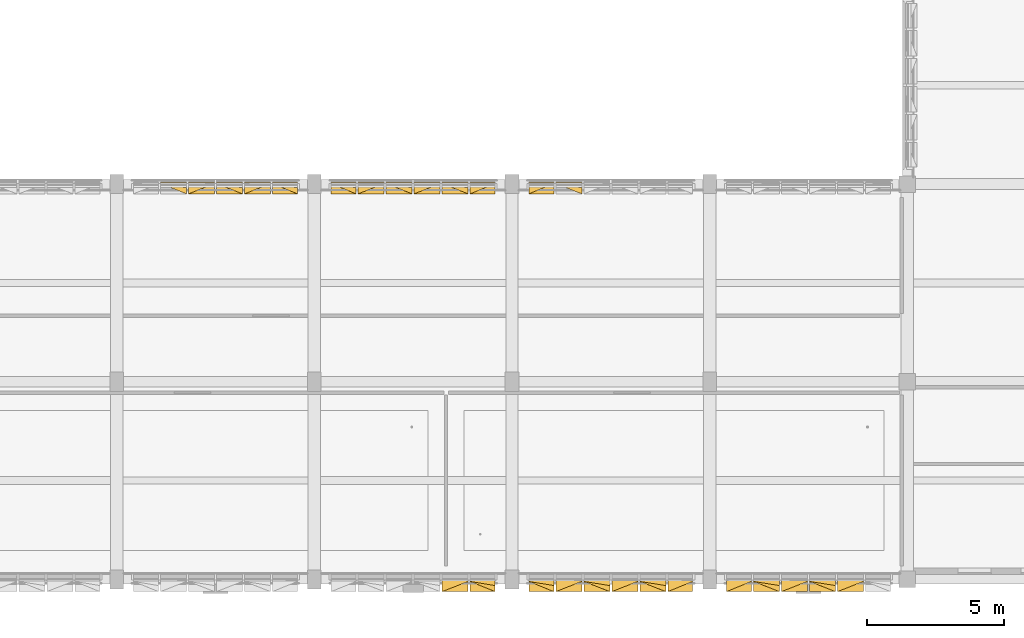
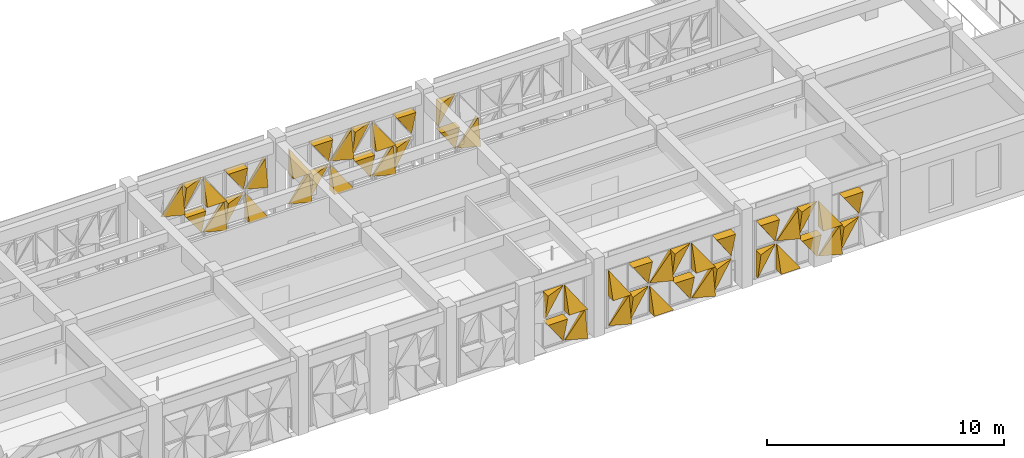
# One storey, part 83 of 88: 50 coverings.
"""IFC4 building model written with IfcOpenShell, lengths in metres."""

from ifc_helpers import new_model, si_unit, direction, frame, origin, place, context, subcontext, project, spatial, polygons, material, layer, layer_set, type_object, element, save


model = new_model("IFC4")

# Units and contexts
model_context = context("Model", 3, precision=1e-05, world=origin(), true_north=direction((0.0, 1.0)))
body_context = subcontext(model_context, "Body", "Model", "MODEL_VIEW")
ifc_project = project(units=[si_unit("LENGTHUNIT", "METRE"), si_unit("AREAUNIT", "SQUARE_METRE"), si_unit("VOLUMEUNIT", "CUBIC_METRE"), si_unit("PLANEANGLEUNIT", "RADIAN"), si_unit("MASSUNIT", "GRAM", prefix="KILO")], contexts=[model_context])

# Site, building, storey
site_placement = place(None, origin())
site = spatial("IfcSite", under=ifc_project, at=site_placement, CompositionType="ELEMENT")
building_placement = place(site_placement, origin())
building = spatial("IfcBuilding", under=site, at=building_placement, Name="Alvorim Cloister Faculty of Sciences", CompositionType="ELEMENT")
storey_placement = place(building_placement, frame((0.0, 0.0, 4.5)))
storey = spatial("IfcBuildingStorey", under=building, at=storey_placement, Name="L01", CompositionType="ELEMENT", Elevation=4.5)

# Coverings
ifc_material = material(Name="Perforated Bronze Alloy Sheet", Category="metal")
ifc_layer = layer(ifc_material, 0.0380859375)
ifc_layer_set = layer_set([ifc_layer], Name="Perforated Bronze Alloy Sheet")
covering_type = type_object("IfcCoveringType", Name="COV-TRI-BRZ", PredefinedType="CLADDING", material=ifc_layer_set)
covering_1_placement = place(storey_placement, frame((37.597412109375, 14.445068359375, 1.6650390625), z_axis=(0.0, 0.0, 1.0), x_axis=(1.0, 0.0, 0.0)))
element("IfcCovering", 1, at=covering_1_placement, inside=storey, type_object=covering_type, Name="Diagonal Solid Metal Triangle TRI-BR", PredefinedType="CLADDING", context=body_context, shape_type="Tessellation", body=[
    polygons([(0.002, 0.0260009765625, 0.0), (0.945068359375, 0.0260009765625, 0.0), (0.945068359375, 0.0260009765625, 1.342970703125), (0.002, -0.03, 0.0), (0.945068359375, -0.4, 0.0), (0.945068359375, -0.18000000000000002, 1.342970703125)], [[[1, 3, 2]], [[4, 5, 6]], [[1, 2, 5, 4]], [[2, 3, 6, 5]], [[3, 1, 4, 6]]], closed=True),
])
covering_2_placement = place(storey_placement, frame((38.617431640625, 14.445068359375, 0.159912109375), z_axis=(0.0, 0.0, 1.0), x_axis=(1.0, 0.0, 0.0)))
element("IfcCovering", 2, at=covering_2_placement, inside=storey, type_object=covering_type, Name="Diagonal Solid Metal Triangle TRI-TR", PredefinedType="CLADDING", context=body_context, shape_type="Tessellation", body=[
    polygons([(0.945068359375, 0.0260009765625, 0.002), (0.945068359375, 0.0260009765625, 1.344970703125), (0.002, 0.0260009765625, 1.344970703125), (0.945068359375, -0.03, 0.002), (0.945068359375, -0.4, 1.344970703125), (0.002, -0.4, 1.344970703125)], [[[1, 3, 2]], [[4, 5, 6]], [[1, 2, 5, 4]], [[2, 3, 6, 5]], [[3, 1, 4, 6]]], closed=True),
])
covering_3_placement = place(storey_placement, frame((38.617431640625, 14.445068359375, 1.6650390625), z_axis=(0.0, 0.0, 1.0), x_axis=(1.0, 0.0, 0.0)))
element("IfcCovering", 3, at=covering_3_placement, inside=storey, type_object=covering_type, Name="Diagonal Solid Metal Triangle TRI-TL", PredefinedType="CLADDING", context=body_context, shape_type="Tessellation", body=[
    polygons([(0.943068359375, 0.0260009765625, 1.344970703125), (0.0, 0.0260009765625, 1.344970703125), (0.0, 0.0260009765625, 0.002), (0.943068359375, -0.03, 1.344970703125), (0.0, -0.4, 1.344970703125), (0.0, -0.13999999999999999, 0.002)], [[[1, 3, 2]], [[4, 5, 6]], [[1, 2, 5, 4]], [[2, 3, 6, 5]], [[3, 1, 4, 6]]], closed=True),
])
covering_4_placement = place(storey_placement, frame((39.637451171875, 14.445068359375, 0.159912109375), z_axis=(0.0, 0.0, 1.0), x_axis=(1.0, 0.0, 0.0)))
element("IfcCovering", 4, at=covering_4_placement, inside=storey, type_object=covering_type, Name="Diagonal Solid Metal Triangle TRI-BR", PredefinedType="CLADDING", context=body_context, shape_type="Tessellation", body=[
    polygons([(0.002, 0.0260009765625, 0.0), (0.945068359375, 0.0260009765625, 0.0), (0.945068359375, 0.0260009765625, 1.342970703125), (0.002, -0.03, 0.0), (0.945068359375, -0.4, 0.0), (0.945068359375, -0.18000000000000002, 1.342970703125)], [[[1, 3, 2]], [[4, 5, 6]], [[1, 2, 5, 4]], [[2, 3, 6, 5]], [[3, 1, 4, 6]]], closed=True),
])
covering_5_placement = place(storey_placement, frame((39.637451171875, 14.445068359375, 1.6650390625), z_axis=(0.0, 0.0, 1.0), x_axis=(1.0, 0.0, 0.0)))
element("IfcCovering", 5, at=covering_5_placement, inside=storey, type_object=covering_type, Name="Diagonal Solid Metal Triangle TRI-BL", PredefinedType="CLADDING", context=body_context, shape_type="Tessellation", body=[
    polygons([(0.0, 0.0260009765625, 0.0), (0.943068359375, 0.0260009765625, 0.0), (0.0, 0.0260009765625, 1.342970703125), (0.0, -0.4, 0.0), (0.943068359375, -0.4, 0.0), (0.0, -0.03, 1.342970703125)], [[[1, 3, 2]], [[4, 5, 6]], [[1, 2, 5, 4]], [[2, 3, 6, 5]], [[3, 1, 4, 6]]], closed=True),
])
covering_6_placement = place(storey_placement, frame((40.657470703125, 14.445068359375, 0.159912109375), z_axis=(0.0, 0.0, 1.0), x_axis=(1.0, 0.0, 0.0)))
element("IfcCovering", 6, at=covering_6_placement, inside=storey, type_object=covering_type, Name="Diagonal Solid Metal Triangle TRI-TL", PredefinedType="CLADDING", context=body_context, shape_type="Tessellation", body=[
    polygons([(0.943068359375, 0.0260009765625, 1.344970703125), (0.0, 0.0260009765625, 1.344970703125), (0.0, 0.0260009765625, 0.002), (0.943068359375, -0.03, 1.344970703125), (0.0, -0.4, 1.344970703125), (0.0, -0.13999999999999999, 0.002)], [[[1, 3, 2]], [[4, 5, 6]], [[1, 2, 5, 4]], [[2, 3, 6, 5]], [[3, 1, 4, 6]]], closed=True),
])
covering_7_placement = place(storey_placement, frame((40.657470703125, 14.445068359375, 1.6650390625), z_axis=(0.0, 0.0, 1.0), x_axis=(1.0, 0.0, 0.0)))
element("IfcCovering", 7, at=covering_7_placement, inside=storey, type_object=covering_type, Name="Diagonal Solid Metal Triangle TRI-TR", PredefinedType="CLADDING", context=body_context, shape_type="Tessellation", body=[
    polygons([(0.945068359375, 0.0260009765625, 0.002), (0.945068359375, 0.0260009765625, 1.344970703125), (0.002, 0.0260009765625, 1.344970703125), (0.945068359375, -0.03, 0.002), (0.945068359375, -0.4, 1.344970703125), (0.002, -0.4, 1.344970703125)], [[[1, 3, 2]], [[4, 5, 6]], [[1, 2, 5, 4]], [[2, 3, 6, 5]], [[3, 1, 4, 6]]], closed=True),
])
covering_8_placement = place(storey_placement, frame((41.677490234375, 14.445068359375, 0.159912109375), z_axis=(0.0, 0.0, 1.0), x_axis=(1.0, 0.0, 0.0)))
element("IfcCovering", 8, at=covering_8_placement, inside=storey, type_object=covering_type, Name="Diagonal Solid Metal Triangle TRI-BL", PredefinedType="CLADDING", context=body_context, shape_type="Tessellation", body=[
    polygons([(0.0, 0.0260009765625, 0.0), (0.905470703125, 0.0260009765625, 0.0), (0.0, 0.0260009765625, 1.342970703125), (0.0, -0.4, 0.0), (0.905470703125, -0.4, 0.0), (0.0, -0.03, 1.342970703125)], [[[1, 3, 2]], [[4, 5, 6]], [[1, 2, 5, 4]], [[2, 3, 6, 5]], [[3, 1, 4, 6]]], closed=True),
])
for number, where, z_axis, x_axis, name in (
    (9, (41.677490234375, 14.445068359375, 1.6650390625), (0.0, 0.0, 1.0), (1.0, 0.0, 0.0), "Diagonal Solid Metal Triangle TRI-BR"),
    (10, (43.81494140625, 14.445068359375, 0.159912109375), (0.0, 0.0, 1.0), (1.0, 0.0, 0.0), "Diagonal Solid Metal Triangle TRI-BR"),
):
    element("IfcCovering", number, at=place(storey_placement, frame(where, z_axis=z_axis, x_axis=x_axis)), inside=storey, type_object=covering_type, Name=name, PredefinedType="CLADDING", context=body_context, shape_type="Tessellation", body=[
        polygons([(0.002, 0.0260009765625, 0.0), (0.907470703125, 0.0260009765625, 0.0), (0.907470703125, 0.0260009765625, 1.342970703125), (0.002, -0.03, 0.0), (0.907470703125, -0.4, 0.0), (0.907470703125, -0.18000000000000002, 1.342970703125)], [[[1, 3, 2]], [[4, 5, 6]], [[1, 2, 5, 4]], [[2, 3, 6, 5]], [[3, 1, 4, 6]]], closed=True),
    ])
covering_9_placement = place(storey_placement, frame((43.81494140625, 14.445068359375, 1.6650390625), z_axis=(0.0, 0.0, 1.0), x_axis=(1.0, 0.0, 0.0)))
element("IfcCovering", 11, at=covering_9_placement, inside=storey, type_object=covering_type, Name="Diagonal Solid Metal Triangle TRI-BL", PredefinedType="CLADDING", context=body_context, shape_type="Tessellation", body=[
    polygons([(0.0, 0.0260009765625, 0.0), (0.905470703125, 0.0260009765625, 0.0), (0.0, 0.0260009765625, 1.342970703125), (0.0, -0.4, 0.0), (0.905470703125, -0.4, 0.0), (0.0, -0.03, 1.342970703125)], [[[1, 3, 2]], [[4, 5, 6]], [[1, 2, 5, 4]], [[2, 3, 6, 5]], [[3, 1, 4, 6]]], closed=True),
])
covering_10_placement = place(storey_placement, frame((44.797607421875, 14.445068359375, 0.159912109375), z_axis=(0.0, 0.0, 1.0), x_axis=(1.0, 0.0, 0.0)))
element("IfcCovering", 12, at=covering_10_placement, inside=storey, type_object=covering_type, Name="Diagonal Solid Metal Triangle TRI-TL", PredefinedType="CLADDING", context=body_context, shape_type="Tessellation", body=[
    polygons([(0.943068359375, 0.0260009765625, 1.344970703125), (0.0, 0.0260009765625, 1.344970703125), (0.0, 0.0260009765625, 0.002), (0.943068359375, -0.03, 1.344970703125), (0.0, -0.4, 1.344970703125), (0.0, -0.13999999999999999, 0.002)], [[[1, 3, 2]], [[4, 5, 6]], [[1, 2, 5, 4]], [[2, 3, 6, 5]], [[3, 1, 4, 6]]], closed=True),
])
covering_11_placement = place(storey_placement, frame((44.797607421875, 14.445068359375, 1.6650390625), z_axis=(0.0, 0.0, 1.0), x_axis=(1.0, 0.0, 0.0)))
element("IfcCovering", 13, at=covering_11_placement, inside=storey, type_object=covering_type, Name="Diagonal Solid Metal Triangle TRI-TR", PredefinedType="CLADDING", context=body_context, shape_type="Tessellation", body=[
    polygons([(0.945068359375, 0.0260009765625, 0.002), (0.945068359375, 0.0260009765625, 1.344970703125), (0.002, 0.0260009765625, 1.344970703125), (0.945068359375, -0.03, 0.002), (0.945068359375, -0.4, 1.344970703125), (0.002, -0.4, 1.344970703125)], [[[1, 3, 2]], [[4, 5, 6]], [[1, 2, 5, 4]], [[2, 3, 6, 5]], [[3, 1, 4, 6]]], closed=True),
])
covering_12_placement = place(storey_placement, frame((45.8173828125, 14.445068359375, 0.159912109375), z_axis=(0.0, 0.0, 1.0), x_axis=(1.0, 0.0, 0.0)))
element("IfcCovering", 14, at=covering_12_placement, inside=storey, type_object=covering_type, Name="Diagonal Solid Metal Triangle TRI-BL", PredefinedType="CLADDING", context=body_context, shape_type="Tessellation", body=[
    polygons([(0.0, 0.0260009765625, 0.0), (0.943068359375, 0.0260009765625, 0.0), (0.0, 0.0260009765625, 1.342970703125), (0.0, -0.4, 0.0), (0.943068359375, -0.4, 0.0), (0.0, -0.03, 1.342970703125)], [[[1, 3, 2]], [[4, 5, 6]], [[1, 2, 5, 4]], [[2, 3, 6, 5]], [[3, 1, 4, 6]]], closed=True),
])
covering_13_placement = place(storey_placement, frame((45.8173828125, 14.445068359375, 1.6650390625), z_axis=(0.0, 0.0, 1.0), x_axis=(1.0, 0.0, 0.0)))
element("IfcCovering", 15, at=covering_13_placement, inside=storey, type_object=covering_type, Name="Diagonal Solid Metal Triangle TRI-BR", PredefinedType="CLADDING", context=body_context, shape_type="Tessellation", body=[
    polygons([(0.002, 0.0260009765625, 0.0), (0.945068359375, 0.0260009765625, 0.0), (0.945068359375, 0.0260009765625, 1.342970703125), (0.002, -0.03, 0.0), (0.945068359375, -0.4, 0.0), (0.945068359375, -0.18000000000000002, 1.342970703125)], [[[1, 3, 2]], [[4, 5, 6]], [[1, 2, 5, 4]], [[2, 3, 6, 5]], [[3, 1, 4, 6]]], closed=True),
])
covering_14_placement = place(storey_placement, frame((46.83740234375, 14.445068359375, 0.159912109375), z_axis=(0.0, 0.0, 1.0), x_axis=(1.0, 0.0, 0.0)))
element("IfcCovering", 16, at=covering_14_placement, inside=storey, type_object=covering_type, Name="Diagonal Solid Metal Triangle TRI-TR", PredefinedType="CLADDING", context=body_context, shape_type="Tessellation", body=[
    polygons([(0.945068359375, 0.0260009765625, 0.002), (0.945068359375, 0.0260009765625, 1.344970703125), (0.002, 0.0260009765625, 1.344970703125), (0.945068359375, -0.03, 0.002), (0.945068359375, -0.4, 1.344970703125), (0.002, -0.4, 1.344970703125)], [[[1, 3, 2]], [[4, 5, 6]], [[1, 2, 5, 4]], [[2, 3, 6, 5]], [[3, 1, 4, 6]]], closed=True),
])
covering_15_placement = place(storey_placement, frame((46.83740234375, 14.445068359375, 1.6650390625), z_axis=(0.0, 0.0, 1.0), x_axis=(1.0, 0.0, 0.0)))
element("IfcCovering", 17, at=covering_15_placement, inside=storey, type_object=covering_type, Name="Diagonal Solid Metal Triangle TRI-TL", PredefinedType="CLADDING", context=body_context, shape_type="Tessellation", body=[
    polygons([(0.943068359375, 0.0260009765625, 1.344970703125), (0.0, 0.0260009765625, 1.344970703125), (0.0, 0.0260009765625, 0.002), (0.943068359375, -0.03, 1.344970703125), (0.0, -0.4, 1.344970703125), (0.0, -0.13999999999999999, 0.002)], [[[1, 3, 2]], [[4, 5, 6]], [[1, 2, 5, 4]], [[2, 3, 6, 5]], [[3, 1, 4, 6]]], closed=True),
])
covering_16_placement = place(storey_placement, frame((47.857421875, 14.445068359375, 0.159912109375), z_axis=(0.0, 0.0, 1.0), x_axis=(1.0, 0.0, 0.0)))
element("IfcCovering", 18, at=covering_16_placement, inside=storey, type_object=covering_type, Name="Diagonal Solid Metal Triangle TRI-BR", PredefinedType="CLADDING", context=body_context, shape_type="Tessellation", body=[
    polygons([(0.002, 0.0260009765625, 0.0), (0.945068359375, 0.0260009765625, 0.0), (0.945068359375, 0.0260009765625, 1.342970703125), (0.002, -0.03, 0.0), (0.945068359375, -0.4, 0.0), (0.945068359375, -0.18000000000000002, 1.342970703125)], [[[1, 3, 2]], [[4, 5, 6]], [[1, 2, 5, 4]], [[2, 3, 6, 5]], [[3, 1, 4, 6]]], closed=True),
])
covering_17_placement = place(storey_placement, frame((47.857421875, 14.445068359375, 1.6650390625), z_axis=(0.0, 0.0, 1.0), x_axis=(1.0, 0.0, 0.0)))
element("IfcCovering", 19, at=covering_17_placement, inside=storey, type_object=covering_type, Name="Diagonal Solid Metal Triangle TRI-BL", PredefinedType="CLADDING", context=body_context, shape_type="Tessellation", body=[
    polygons([(0.0, 0.0260009765625, 0.0), (0.943068359375, 0.0260009765625, 0.0), (0.0, 0.0260009765625, 1.342970703125), (0.0, -0.4, 0.0), (0.943068359375, -0.4, 0.0), (0.0, -0.03, 1.342970703125)], [[[1, 3, 2]], [[4, 5, 6]], [[1, 2, 5, 4]], [[2, 3, 6, 5]], [[3, 1, 4, 6]]], closed=True),
])
covering_18_placement = place(storey_placement, frame((48.87744140625, 14.445068359375, 0.159912109375), z_axis=(0.0, 0.0, 1.0), x_axis=(1.0, 0.0, 0.0)))
element("IfcCovering", 20, at=covering_18_placement, inside=storey, type_object=covering_type, Name="Diagonal Solid Metal Triangle TRI-TL", PredefinedType="CLADDING", context=body_context, shape_type="Tessellation", body=[
    polygons([(0.905470703125, 0.0260009765625, 1.344970703125), (0.0, 0.0260009765625, 1.344970703125), (0.0, 0.0260009765625, 0.002), (0.905470703125, -0.03, 1.344970703125), (0.0, -0.4, 1.344970703125), (0.0, -0.13999999999999999, 0.002)], [[[1, 3, 2]], [[4, 5, 6]], [[1, 2, 5, 4]], [[2, 3, 6, 5]], [[3, 1, 4, 6]]], closed=True),
])
for number, where, z_axis, x_axis, name in (
    (21, (48.87744140625, 14.445068359375, 1.6650390625), (0.0, 0.0, 1.0), (1.0, 0.0, 0.0), "Diagonal Solid Metal Triangle TRI-TR"),
    (22, (51.014892578125, 14.445068359375, 0.159912109375), (0.0, 0.0, 1.0), (1.0, 0.0, 0.0), "Diagonal Solid Metal Triangle TRI-TR"),
):
    element("IfcCovering", number, at=place(storey_placement, frame(where, z_axis=z_axis, x_axis=x_axis)), inside=storey, type_object=covering_type, Name=name, PredefinedType="CLADDING", context=body_context, shape_type="Tessellation", body=[
        polygons([(0.907470703125, 0.0260009765625, 0.002), (0.907470703125, 0.0260009765625, 1.344970703125), (0.002, 0.0260009765625, 1.344970703125), (0.907470703125, -0.03, 0.002), (0.907470703125, -0.4, 1.344970703125), (0.002, -0.4, 1.344970703125)], [[[1, 3, 2]], [[4, 5, 6]], [[1, 2, 5, 4]], [[2, 3, 6, 5]], [[3, 1, 4, 6]]], closed=True),
    ])
covering_19_placement = place(storey_placement, frame((51.014892578125, 14.445068359375, 1.6650390625), z_axis=(0.0, 0.0, 1.0), x_axis=(1.0, 0.0, 0.0)))
element("IfcCovering", 23, at=covering_19_placement, inside=storey, type_object=covering_type, Name="Diagonal Solid Metal Triangle TRI-TL", PredefinedType="CLADDING", context=body_context, shape_type="Tessellation", body=[
    polygons([(0.905470703125, 0.0260009765625, 1.344970703125), (0.0, 0.0260009765625, 1.344970703125), (0.0, 0.0260009765625, 0.002), (0.905470703125, -0.03, 1.344970703125), (0.0, -0.4, 1.344970703125), (0.0, -0.13999999999999999, 0.002)], [[[1, 3, 2]], [[4, 5, 6]], [[1, 2, 5, 4]], [[2, 3, 6, 5]], [[3, 1, 4, 6]]], closed=True),
])
covering_20_placement = place(storey_placement, frame((51.99755859375, 14.445068359375, 0.159912109375), z_axis=(0.0, 0.0, 1.0), x_axis=(1.0, 0.0, 0.0)))
element("IfcCovering", 24, at=covering_20_placement, inside=storey, type_object=covering_type, Name="Diagonal Solid Metal Triangle TRI-BR", PredefinedType="CLADDING", context=body_context, shape_type="Tessellation", body=[
    polygons([(0.002, 0.0260009765625, 0.0), (0.945068359375, 0.0260009765625, 0.0), (0.945068359375, 0.0260009765625, 1.342970703125), (0.002, -0.03, 0.0), (0.945068359375, -0.4, 0.0), (0.945068359375, -0.18000000000000002, 1.342970703125)], [[[1, 3, 2]], [[4, 5, 6]], [[1, 2, 5, 4]], [[2, 3, 6, 5]], [[3, 1, 4, 6]]], closed=True),
])
covering_21_placement = place(storey_placement, frame((58.215087890625, -0.044921875, 0.159912109375), z_axis=(0.0, 0.0, 1.0), x_axis=(1.0, 0.0, 0.0)))
element("IfcCovering", 25, at=covering_21_placement, inside=storey, type_object=covering_type, Name="Diagonal Solid Metal Triangle TRI-TL", PredefinedType="CLADDING", context=body_context, shape_type="Tessellation", body=[
    polygons([(0.905470703125, 0.0260009765625, 1.344970703125), (0.0, 0.0260009765625, 1.344970703125), (0.0, 0.0260009765625, 0.002), (0.905470703125, -0.03, 1.344970703125), (0.0, -0.4, 1.344970703125), (0.0, -0.13999999999999999, 0.002)], [[[1, 3, 2]], [[4, 5, 6]], [[1, 2, 5, 4]], [[2, 3, 6, 5]], [[3, 1, 4, 6]]], closed=True),
])
covering_22_placement = place(storey_placement, frame((58.215087890625, -0.044921875, 1.6650390625), z_axis=(0.0, 0.0, 1.0), x_axis=(1.0, 0.0, 0.0)))
element("IfcCovering", 26, at=covering_22_placement, inside=storey, type_object=covering_type, Name="Diagonal Solid Metal Triangle TRI-TR", PredefinedType="CLADDING", context=body_context, shape_type="Tessellation", body=[
    polygons([(0.907470703125, 0.0260009765625, 0.002), (0.907470703125, 0.0260009765625, 1.344970703125), (0.002, 0.0260009765625, 1.344970703125), (0.907470703125, -0.03, 0.002), (0.907470703125, -0.4, 1.344970703125), (0.002, -0.4, 1.344970703125)], [[[1, 3, 2]], [[4, 5, 6]], [[1, 2, 5, 4]], [[2, 3, 6, 5]], [[3, 1, 4, 6]]], closed=True),
])
covering_23_placement = place(storey_placement, frame((59.197509765625, -0.044921875, 0.159912109375), z_axis=(0.0, 0.0, 1.0), x_axis=(1.0, 0.0, 0.0)))
element("IfcCovering", 27, at=covering_23_placement, inside=storey, type_object=covering_type, Name="Diagonal Solid Metal Triangle TRI-BL", PredefinedType="CLADDING", context=body_context, shape_type="Tessellation", body=[
    polygons([(0.0, 0.0260009765625, 0.0), (0.943068359375, 0.0260009765625, 0.0), (0.0, 0.0260009765625, 1.342970703125), (0.0, -0.4, 0.0), (0.943068359375, -0.4, 0.0), (0.0, -0.03, 1.342970703125)], [[[1, 3, 2]], [[4, 5, 6]], [[1, 2, 5, 4]], [[2, 3, 6, 5]], [[3, 1, 4, 6]]], closed=True),
])
covering_24_placement = place(storey_placement, frame((59.197509765625, -0.044921875, 1.6650390625), z_axis=(0.0, 0.0, 1.0), x_axis=(1.0, 0.0, 0.0)))
element("IfcCovering", 28, at=covering_24_placement, inside=storey, type_object=covering_type, Name="Diagonal Solid Metal Triangle TRI-BR", PredefinedType="CLADDING", context=body_context, shape_type="Tessellation", body=[
    polygons([(0.002, 0.0260009765625, 0.0), (0.945068359375, 0.0260009765625, 0.0), (0.945068359375, 0.0260009765625, 1.342970703125), (0.002, -0.03, 0.0), (0.945068359375, -0.4, 0.0), (0.945068359375, -0.18000000000000002, 1.342970703125)], [[[1, 3, 2]], [[4, 5, 6]], [[1, 2, 5, 4]], [[2, 3, 6, 5]], [[3, 1, 4, 6]]], closed=True),
])
covering_25_placement = place(storey_placement, frame((60.217529296875, -0.044921875, 0.159912109375), z_axis=(0.0, 0.0, 1.0), x_axis=(1.0, 0.0, 0.0)))
element("IfcCovering", 29, at=covering_25_placement, inside=storey, type_object=covering_type, Name="Diagonal Solid Metal Triangle TRI-TR", PredefinedType="CLADDING", context=body_context, shape_type="Tessellation", body=[
    polygons([(0.945068359375, 0.0260009765625, 0.002), (0.945068359375, 0.0260009765625, 1.344970703125), (0.002, 0.0260009765625, 1.344970703125), (0.945068359375, -0.03, 0.002), (0.945068359375, -0.4, 1.344970703125), (0.002, -0.4, 1.344970703125)], [[[1, 3, 2]], [[4, 5, 6]], [[1, 2, 5, 4]], [[2, 3, 6, 5]], [[3, 1, 4, 6]]], closed=True),
])
covering_26_placement = place(storey_placement, frame((60.217529296875, -0.044921875, 1.6650390625), z_axis=(0.0, 0.0, 1.0), x_axis=(1.0, 0.0, 0.0)))
element("IfcCovering", 30, at=covering_26_placement, inside=storey, type_object=covering_type, Name="Diagonal Solid Metal Triangle TRI-TL", PredefinedType="CLADDING", context=body_context, shape_type="Tessellation", body=[
    polygons([(0.943068359375, 0.0260009765625, 1.344970703125), (0.0, 0.0260009765625, 1.344970703125), (0.0, 0.0260009765625, 0.002), (0.943068359375, -0.03, 1.344970703125), (0.0, -0.4, 1.344970703125), (0.0, -0.13999999999999999, 0.002)], [[[1, 3, 2]], [[4, 5, 6]], [[1, 2, 5, 4]], [[2, 3, 6, 5]], [[3, 1, 4, 6]]], closed=True),
])
covering_27_placement = place(storey_placement, frame((61.237548828125, -0.044921875, 0.159912109375), z_axis=(0.0, 0.0, 1.0), x_axis=(1.0, 0.0, 0.0)))
element("IfcCovering", 31, at=covering_27_placement, inside=storey, type_object=covering_type, Name="Diagonal Solid Metal Triangle TRI-BR", PredefinedType="CLADDING", context=body_context, shape_type="Tessellation", body=[
    polygons([(0.002, 0.0260009765625, 0.0), (0.945068359375, 0.0260009765625, 0.0), (0.945068359375, 0.0260009765625, 1.342970703125), (0.002, -0.03, 0.0), (0.945068359375, -0.4, 0.0), (0.945068359375, -0.18000000000000002, 1.342970703125)], [[[1, 3, 2]], [[4, 5, 6]], [[1, 2, 5, 4]], [[2, 3, 6, 5]], [[3, 1, 4, 6]]], closed=True),
])
covering_28_placement = place(storey_placement, frame((61.237548828125, -0.044921875, 1.6650390625), z_axis=(0.0, 0.0, 1.0), x_axis=(1.0, 0.0, 0.0)))
element("IfcCovering", 32, at=covering_28_placement, inside=storey, type_object=covering_type, Name="Diagonal Solid Metal Triangle TRI-BL", PredefinedType="CLADDING", context=body_context, shape_type="Tessellation", body=[
    polygons([(0.0, 0.0260009765625, 0.0), (0.943068359375, 0.0260009765625, 0.0), (0.0, 0.0260009765625, 1.342970703125), (0.0, -0.4, 0.0), (0.943068359375, -0.4, 0.0), (0.0, -0.03, 1.342970703125)], [[[1, 3, 2]], [[4, 5, 6]], [[1, 2, 5, 4]], [[2, 3, 6, 5]], [[3, 1, 4, 6]]], closed=True),
])
covering_29_placement = place(storey_placement, frame((62.257568359375, -0.044921875, 0.159912109375), z_axis=(0.0, 0.0, 1.0), x_axis=(1.0, 0.0, 0.0)))
element("IfcCovering", 33, at=covering_29_placement, inside=storey, type_object=covering_type, Name="Diagonal Solid Metal Triangle TRI-TL", PredefinedType="CLADDING", context=body_context, shape_type="Tessellation", body=[
    polygons([(0.943068359375, 0.0260009765625, 1.344970703125), (0.0, 0.0260009765625, 1.344970703125), (0.0, 0.0260009765625, 0.002), (0.943068359375, -0.03, 1.344970703125), (0.0, -0.4, 1.344970703125), (0.0, -0.13999999999999999, 0.002)], [[[1, 3, 2]], [[4, 5, 6]], [[1, 2, 5, 4]], [[2, 3, 6, 5]], [[3, 1, 4, 6]]], closed=True),
])
covering_30_placement = place(storey_placement, frame((62.257568359375, -0.044921875, 1.6650390625), z_axis=(0.0, 0.0, 1.0), x_axis=(1.0, 0.0, 0.0)))
element("IfcCovering", 34, at=covering_30_placement, inside=storey, type_object=covering_type, Name="Diagonal Solid Metal Triangle TRI-TR", PredefinedType="CLADDING", context=body_context, shape_type="Tessellation", body=[
    polygons([(0.945068359375, 0.0260009765625, 0.002), (0.945068359375, 0.0260009765625, 1.344970703125), (0.002, 0.0260009765625, 1.344970703125), (0.945068359375, -0.03, 0.002), (0.945068359375, -0.4, 1.344970703125), (0.002, -0.4, 1.344970703125)], [[[1, 3, 2]], [[4, 5, 6]], [[1, 2, 5, 4]], [[2, 3, 6, 5]], [[3, 1, 4, 6]]], closed=True),
])
covering_31_placement = place(storey_placement, frame((51.014892578125, -0.044921875, 0.159912109375), z_axis=(0.0, 0.0, 1.0), x_axis=(1.0, 0.0, 0.0)))
element("IfcCovering", 35, at=covering_31_placement, inside=storey, type_object=covering_type, Name="Diagonal Solid Metal Triangle TRI-BR", PredefinedType="CLADDING", context=body_context, shape_type="Tessellation", body=[
    polygons([(0.002, 0.0260009765625, 0.0), (0.907470703125, 0.0260009765625, 0.0), (0.907470703125, 0.0260009765625, 1.342970703125), (0.002, -0.03, 0.0), (0.907470703125, -0.4, 0.0), (0.907470703125, -0.18000000000000002, 1.342970703125)], [[[1, 3, 2]], [[4, 5, 6]], [[1, 2, 5, 4]], [[2, 3, 6, 5]], [[3, 1, 4, 6]]], closed=True),
])
covering_32_placement = place(storey_placement, frame((51.014892578125, -0.044921875, 1.6650390625), z_axis=(0.0, 0.0, 1.0), x_axis=(1.0, 0.0, 0.0)))
element("IfcCovering", 36, at=covering_32_placement, inside=storey, type_object=covering_type, Name="Diagonal Solid Metal Triangle TRI-BL", PredefinedType="CLADDING", context=body_context, shape_type="Tessellation", body=[
    polygons([(0.0, 0.0260009765625, 0.0), (0.905470703125, 0.0260009765625, 0.0), (0.0, 0.0260009765625, 1.342970703125), (0.0, -0.4, 0.0), (0.905470703125, -0.4, 0.0), (0.0, -0.03, 1.342970703125)], [[[1, 3, 2]], [[4, 5, 6]], [[1, 2, 5, 4]], [[2, 3, 6, 5]], [[3, 1, 4, 6]]], closed=True),
])
covering_33_placement = place(storey_placement, frame((51.99755859375, -0.044921875, 0.159912109375), z_axis=(0.0, 0.0, 1.0), x_axis=(1.0, 0.0, 0.0)))
element("IfcCovering", 37, at=covering_33_placement, inside=storey, type_object=covering_type, Name="Diagonal Solid Metal Triangle TRI-TL", PredefinedType="CLADDING", context=body_context, shape_type="Tessellation", body=[
    polygons([(0.943068359375, 0.0260009765625, 1.344970703125), (0.0, 0.0260009765625, 1.344970703125), (0.0, 0.0260009765625, 0.002), (0.943068359375, -0.03, 1.344970703125), (0.0, -0.4, 1.344970703125), (0.0, -0.13999999999999999, 0.002)], [[[1, 3, 2]], [[4, 5, 6]], [[1, 2, 5, 4]], [[2, 3, 6, 5]], [[3, 1, 4, 6]]], closed=True),
])
covering_34_placement = place(storey_placement, frame((51.99755859375, -0.044921875, 1.6650390625), z_axis=(0.0, 0.0, 1.0), x_axis=(1.0, 0.0, 0.0)))
element("IfcCovering", 38, at=covering_34_placement, inside=storey, type_object=covering_type, Name="Diagonal Solid Metal Triangle TRI-TR", PredefinedType="CLADDING", context=body_context, shape_type="Tessellation", body=[
    polygons([(0.945068359375, 0.0260009765625, 0.002), (0.945068359375, 0.0260009765625, 1.344970703125), (0.002, 0.0260009765625, 1.344970703125), (0.945068359375, -0.03, 0.002), (0.945068359375, -0.4, 1.344970703125), (0.002, -0.4, 1.344970703125)], [[[1, 3, 2]], [[4, 5, 6]], [[1, 2, 5, 4]], [[2, 3, 6, 5]], [[3, 1, 4, 6]]], closed=True),
])
covering_35_placement = place(storey_placement, frame((53.017578125, -0.044921875, 0.159912109375), z_axis=(0.0, 0.0, 1.0), x_axis=(1.0, 0.0, 0.0)))
element("IfcCovering", 39, at=covering_35_placement, inside=storey, type_object=covering_type, Name="Diagonal Solid Metal Triangle TRI-BL", PredefinedType="CLADDING", context=body_context, shape_type="Tessellation", body=[
    polygons([(0.0, 0.0260009765625, 0.0), (0.943068359375, 0.0260009765625, 0.0), (0.0, 0.0260009765625, 1.342970703125), (0.0, -0.4, 0.0), (0.943068359375, -0.4, 0.0), (0.0, -0.03, 1.342970703125)], [[[1, 3, 2]], [[4, 5, 6]], [[1, 2, 5, 4]], [[2, 3, 6, 5]], [[3, 1, 4, 6]]], closed=True),
])
covering_36_placement = place(storey_placement, frame((53.017578125, -0.044921875, 1.6650390625), z_axis=(0.0, 0.0, 1.0), x_axis=(1.0, 0.0, 0.0)))
element("IfcCovering", 40, at=covering_36_placement, inside=storey, type_object=covering_type, Name="Diagonal Solid Metal Triangle TRI-BR", PredefinedType="CLADDING", context=body_context, shape_type="Tessellation", body=[
    polygons([(0.002, 0.0260009765625, 0.0), (0.945068359375, 0.0260009765625, 0.0), (0.945068359375, 0.0260009765625, 1.342970703125), (0.002, -0.03, 0.0), (0.945068359375, -0.4, 0.0), (0.945068359375, -0.18000000000000002, 1.342970703125)], [[[1, 3, 2]], [[4, 5, 6]], [[1, 2, 5, 4]], [[2, 3, 6, 5]], [[3, 1, 4, 6]]], closed=True),
])
covering_37_placement = place(storey_placement, frame((54.03759765625, -0.044921875, 0.159912109375), z_axis=(0.0, 0.0, 1.0), x_axis=(1.0, 0.0, 0.0)))
element("IfcCovering", 41, at=covering_37_placement, inside=storey, type_object=covering_type, Name="Diagonal Solid Metal Triangle TRI-TR", PredefinedType="CLADDING", context=body_context, shape_type="Tessellation", body=[
    polygons([(0.945068359375, 0.0260009765625, 0.002), (0.945068359375, 0.0260009765625, 1.344970703125), (0.002, 0.0260009765625, 1.344970703125), (0.945068359375, -0.03, 0.002), (0.945068359375, -0.4, 1.344970703125), (0.002, -0.4, 1.344970703125)], [[[1, 3, 2]], [[4, 5, 6]], [[1, 2, 5, 4]], [[2, 3, 6, 5]], [[3, 1, 4, 6]]], closed=True),
])
covering_38_placement = place(storey_placement, frame((54.03759765625, -0.044921875, 1.6650390625), z_axis=(0.0, 0.0, 1.0), x_axis=(1.0, 0.0, 0.0)))
element("IfcCovering", 42, at=covering_38_placement, inside=storey, type_object=covering_type, Name="Diagonal Solid Metal Triangle TRI-TL", PredefinedType="CLADDING", context=body_context, shape_type="Tessellation", body=[
    polygons([(0.943068359375, 0.0260009765625, 1.344970703125), (0.0, 0.0260009765625, 1.344970703125), (0.0, 0.0260009765625, 0.002), (0.943068359375, -0.03, 1.344970703125), (0.0, -0.4, 1.344970703125), (0.0, -0.13999999999999999, 0.002)], [[[1, 3, 2]], [[4, 5, 6]], [[1, 2, 5, 4]], [[2, 3, 6, 5]], [[3, 1, 4, 6]]], closed=True),
])
covering_39_placement = place(storey_placement, frame((55.0576171875, -0.044921875, 0.159912109375), z_axis=(0.0, 0.0, 1.0), x_axis=(1.0, 0.0, 0.0)))
element("IfcCovering", 43, at=covering_39_placement, inside=storey, type_object=covering_type, Name="Diagonal Solid Metal Triangle TRI-BR", PredefinedType="CLADDING", context=body_context, shape_type="Tessellation", body=[
    polygons([(0.002, 0.0260009765625, 0.0), (0.945068359375, 0.0260009765625, 0.0), (0.945068359375, 0.0260009765625, 1.342970703125), (0.002, -0.03, 0.0), (0.945068359375, -0.4, 0.0), (0.945068359375, -0.18000000000000002, 1.342970703125)], [[[1, 3, 2]], [[4, 5, 6]], [[1, 2, 5, 4]], [[2, 3, 6, 5]], [[3, 1, 4, 6]]], closed=True),
])
covering_40_placement = place(storey_placement, frame((55.0576171875, -0.044921875, 1.6650390625), z_axis=(0.0, 0.0, 1.0), x_axis=(1.0, 0.0, 0.0)))
element("IfcCovering", 44, at=covering_40_placement, inside=storey, type_object=covering_type, Name="Diagonal Solid Metal Triangle TRI-BL", PredefinedType="CLADDING", context=body_context, shape_type="Tessellation", body=[
    polygons([(0.0, 0.0260009765625, 0.0), (0.943068359375, 0.0260009765625, 0.0), (0.0, 0.0260009765625, 1.342970703125), (0.0, -0.4, 0.0), (0.943068359375, -0.4, 0.0), (0.0, -0.03, 1.342970703125)], [[[1, 3, 2]], [[4, 5, 6]], [[1, 2, 5, 4]], [[2, 3, 6, 5]], [[3, 1, 4, 6]]], closed=True),
])
covering_41_placement = place(storey_placement, frame((56.077392578125, -0.044921875, 0.159912109375), z_axis=(0.0, 0.0, 1.0), x_axis=(1.0, 0.0, 0.0)))
element("IfcCovering", 45, at=covering_41_placement, inside=storey, type_object=covering_type, Name="Diagonal Solid Metal Triangle TRI-TL", PredefinedType="CLADDING", context=body_context, shape_type="Tessellation", body=[
    polygons([(0.905470703125, 0.0260009765625, 1.344970703125), (0.0, 0.0260009765625, 1.344970703125), (0.0, 0.0260009765625, 0.002), (0.905470703125, -0.03, 1.344970703125), (0.0, -0.4, 1.344970703125), (0.0, -0.13999999999999999, 0.002)], [[[1, 3, 2]], [[4, 5, 6]], [[1, 2, 5, 4]], [[2, 3, 6, 5]], [[3, 1, 4, 6]]], closed=True),
])
covering_42_placement = place(storey_placement, frame((56.077392578125, -0.044921875, 1.6650390625), z_axis=(0.0, 0.0, 1.0), x_axis=(1.0, 0.0, 0.0)))
element("IfcCovering", 46, at=covering_42_placement, inside=storey, type_object=covering_type, Name="Diagonal Solid Metal Triangle TRI-TR", PredefinedType="CLADDING", context=body_context, shape_type="Tessellation", body=[
    polygons([(0.907470703125, 0.0260009765625, 0.002), (0.907470703125, 0.0260009765625, 1.344970703125), (0.002, 0.0260009765625, 1.344970703125), (0.907470703125, -0.03, 0.002), (0.907470703125, -0.4, 1.344970703125), (0.002, -0.4, 1.344970703125)], [[[1, 3, 2]], [[4, 5, 6]], [[1, 2, 5, 4]], [[2, 3, 6, 5]], [[3, 1, 4, 6]]], closed=True),
])
covering_43_placement = place(storey_placement, frame((47.857421875, -0.044921875, 0.159912109375), z_axis=(0.0, 0.0, 1.0), x_axis=(1.0, 0.0, 0.0)))
element("IfcCovering", 47, at=covering_43_placement, inside=storey, type_object=covering_type, Name="Diagonal Solid Metal Triangle TRI-TR", PredefinedType="CLADDING", context=body_context, shape_type="Tessellation", body=[
    polygons([(0.945068359375, 0.0260009765625, 0.002), (0.945068359375, 0.0260009765625, 1.344970703125), (0.002, 0.0260009765625, 1.344970703125), (0.945068359375, -0.03, 0.002), (0.945068359375, -0.4, 1.344970703125), (0.002, -0.4, 1.344970703125)], [[[1, 3, 2]], [[4, 5, 6]], [[1, 2, 5, 4]], [[2, 3, 6, 5]], [[3, 1, 4, 6]]], closed=True),
])
covering_44_placement = place(storey_placement, frame((47.857421875, -0.044921875, 1.6650390625), z_axis=(0.0, 0.0, 1.0), x_axis=(1.0, 0.0, 0.0)))
element("IfcCovering", 48, at=covering_44_placement, inside=storey, type_object=covering_type, Name="Diagonal Solid Metal Triangle TRI-TL", PredefinedType="CLADDING", context=body_context, shape_type="Tessellation", body=[
    polygons([(0.943068359375, 0.0260009765625, 1.344970703125), (0.0, 0.0260009765625, 1.344970703125), (0.0, 0.0260009765625, 0.002), (0.943068359375, -0.03, 1.344970703125), (0.0, -0.4, 1.344970703125), (0.0, -0.13999999999999999, 0.002)], [[[1, 3, 2]], [[4, 5, 6]], [[1, 2, 5, 4]], [[2, 3, 6, 5]], [[3, 1, 4, 6]]], closed=True),
])
covering_45_placement = place(storey_placement, frame((48.87744140625, -0.044921875, 0.159912109375), z_axis=(0.0, 0.0, 1.0), x_axis=(1.0, 0.0, 0.0)))
element("IfcCovering", 49, at=covering_45_placement, inside=storey, type_object=covering_type, Name="Diagonal Solid Metal Triangle TRI-BR", PredefinedType="CLADDING", context=body_context, shape_type="Tessellation", body=[
    polygons([(0.002, 0.0260009765625, 0.0), (0.907470703125, 0.0260009765625, 0.0), (0.907470703125, 0.0260009765625, 1.342970703125), (0.002, -0.03, 0.0), (0.907470703125, -0.4, 0.0), (0.907470703125, -0.18000000000000002, 1.342970703125)], [[[1, 3, 2]], [[4, 5, 6]], [[1, 2, 5, 4]], [[2, 3, 6, 5]], [[3, 1, 4, 6]]], closed=True),
])
covering_46_placement = place(storey_placement, frame((48.87744140625, -0.044921875, 1.6650390625), z_axis=(0.0, 0.0, 1.0), x_axis=(1.0, 0.0, 0.0)))
element("IfcCovering", 50, at=covering_46_placement, inside=storey, type_object=covering_type, Name="Diagonal Solid Metal Triangle TRI-BL", PredefinedType="CLADDING", context=body_context, shape_type="Tessellation", body=[
    polygons([(0.0, 0.0260009765625, 0.0), (0.905470703125, 0.0260009765625, 0.0), (0.0, 0.0260009765625, 1.342970703125), (0.0, -0.4, 0.0), (0.905470703125, -0.4, 0.0), (0.0, -0.03, 1.342970703125)], [[[1, 3, 2]], [[4, 5, 6]], [[1, 2, 5, 4]], [[2, 3, 6, 5]], [[3, 1, 4, 6]]], closed=True),
])

save(model, "model.ifc")
